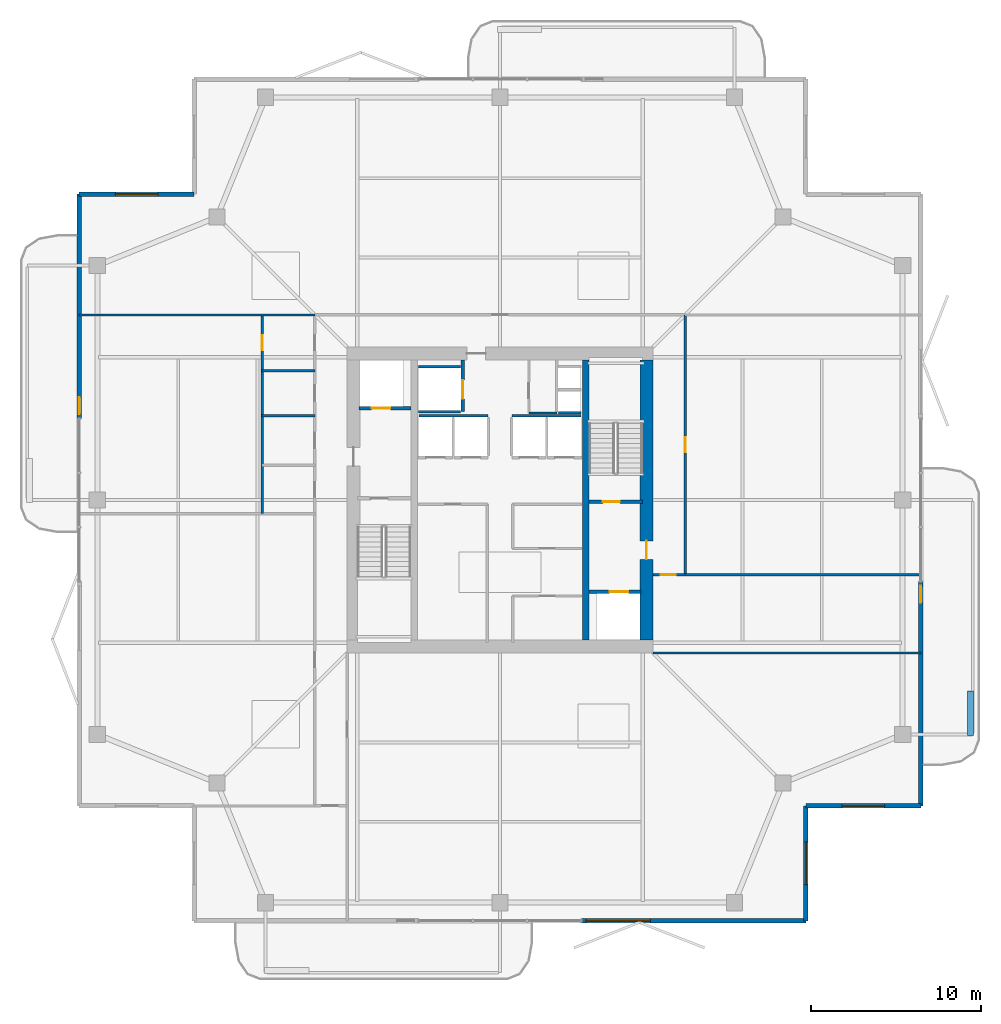
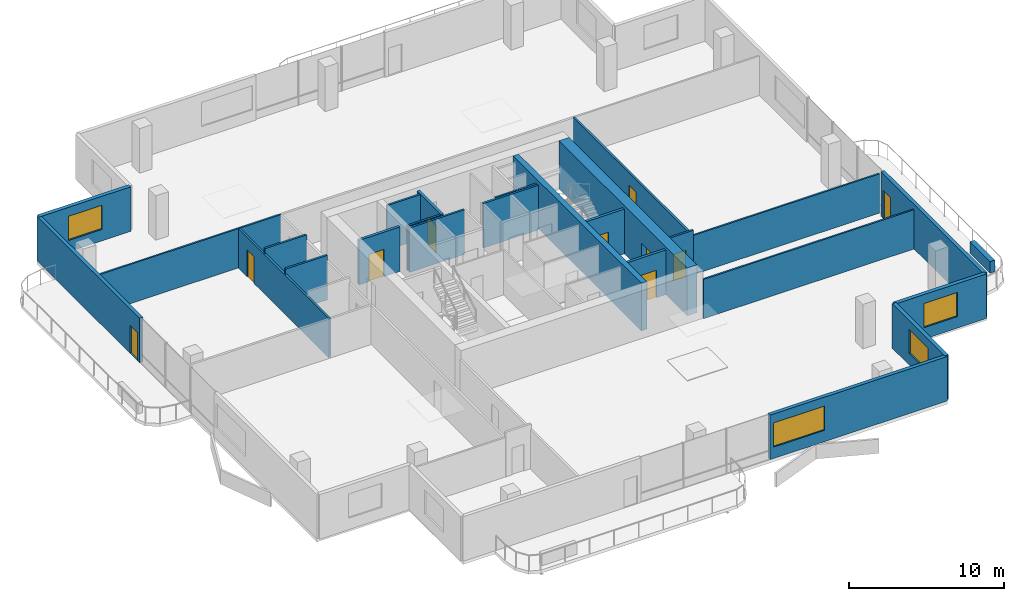
# One storey, part 19 of 23: 27 walls, 10 doors, 4 windows, 14 openings.
"""IFC4 building model written with IfcOpenShell, lengths in metres."""

from ifc_helpers import new_model, si_unit, direction, frame, frame_2d, origin, place, context, subcontext, project, spatial, rectangle, extrude, material, layer, layer_set, type_object, element, fill, save


model = new_model("IFC4")

# Units and contexts
model_context = context("Model", 3, precision=1e-05, world=origin(), true_north=direction((0.0, 1.0)))
body_context = subcontext(model_context, "Body", "Model", "MODEL_VIEW")
ifc_project = project(units=[si_unit("LENGTHUNIT", "METRE"), si_unit("AREAUNIT", "SQUARE_METRE"), si_unit("VOLUMEUNIT", "CUBIC_METRE"), si_unit("PLANEANGLEUNIT", "RADIAN"), si_unit("MASSUNIT", "GRAM", prefix="KILO")], contexts=[model_context])

# Site, building, storey
site_placement = place(None, origin())
site = spatial("IfcSite", under=ifc_project, at=site_placement, CompositionType="ELEMENT")
building_placement = place(site_placement, origin())
building = spatial("IfcBuilding", under=site, at=building_placement, Name="Belovzor Exchange Tower", CompositionType="ELEMENT")
storey_placement = place(building_placement, frame((0.0, 0.0, 276.60009765625)))
storey = spatial("IfcBuildingStorey", under=building, at=storey_placement, Name="L69", CompositionType="ELEMENT", Elevation=276.60009765625)

# Walls
ifc_material_1 = material(Name="Acoustic Plasterboard on Galvanised Studs", Category="gypsum")
ifc_layer_1 = layer(ifc_material_1, 0.1201171875)
ifc_layer_set_1 = layer_set([ifc_layer_1], Name="Acoustic Plasterboard on Galvanised Studs")
wall_type_1 = type_object("IfcWallType", Name="Acoustic Double-Stud Partition Wall 120", PredefinedType="PARTITIONING", material=ifc_layer_set_1)
wall_1_placement = place(storey_placement, frame((37.800048828125, 19.800048828125, 0.0), z_axis=(0.0, 0.0, 1.0), x_axis=(1.0, 0.0, 0.0)))
element("IfcWall", 1, at=wall_1_placement, inside=storey, type_object=wall_type_1, Name="W-P120 Partition Wall W-L69-ESS", PredefinedType="PARTITIONING", context=body_context, shape_type="SweptSolid", body=[
    extrude(rectangle(XDim=15.77001953125, YDim=0.1201171875, at=frame_2d((7.885009765625, 0.0))), origin(), (0.0, 0.0, 1.0), 3.0849609375),
])
wall_2_placement = place(storey_placement, frame((39.699951171875, 24.39990234375, 0.0), z_axis=(0.0, 0.0, 1.0), x_axis=(1.0, 0.0, 0.0)))
element("IfcWall", 2, at=wall_2_placement, inside=storey, type_object=wall_type_1, Name="W-P120 Partition Wall W-L69-ESN", PredefinedType="PARTITIONING", context=body_context, shape_type="SweptSolid", body=[
    extrude(rectangle(XDim=13.8701171875, YDim=0.1201171875, at=frame_2d((6.93505859375, 0.0))), origin(), (0.0, 0.0, 1.0), 3.0849609375),
])
wall_3_placement = place(storey_placement, frame((4.030029296875, 39.699951171875, 0.0), z_axis=(0.0, 0.0, 1.0), x_axis=(1.0, 0.0, 0.0)))
element("IfcWall", 3, at=wall_3_placement, inside=storey, type_object=wall_type_1, Name="W-P120 Partition Wall W-L69-END-NW", PredefinedType="PARTITIONING", context=body_context, shape_type="SweptSolid", body=[
    extrude(rectangle(XDim=13.869873046875, YDim=0.1201171875, at=frame_2d((6.93505859375, 0.0))), origin(), (0.0, 0.0, 1.0), 3.0849609375),
])
ifc_material_2 = material(Name="Fire-Rated Plasterboard on Galvanised Studs", Category="gypsum")
ifc_layer_2 = layer(ifc_material_2, 0.1201171875)
ifc_layer_set_2 = layer_set([ifc_layer_2], Name="Fire-Rated Plasterboard on Galvanised Studs")
wall_type_2 = type_object("IfcWallType", Name="Fire-Rated Double-Stud Partition Wall 120", PredefinedType="PARTITIONING", material=ifc_layer_set_2)
wall_4_placement = place(storey_placement, frame((30.5, 33.925048828125, 0.0), z_axis=(0.0, 0.0, 1.0), x_axis=(1.0, 0.0, 0.0)))
element("IfcWall", 4, at=wall_4_placement, inside=storey, type_object=wall_type_2, Name="W-P120F Partition Wall W-CRV-L69-S", PredefinedType="PARTITIONING", context=body_context, shape_type="SweptSolid", body=[
    extrude(rectangle(XDim=1.64990234375, YDim=0.1201171875, at=frame_2d((0.824951171875, 0.0))), origin(), (0.0, 0.0, 1.0), 3.5),
])

# Wall, opening, door
ifc_material_3 = material(Name="Fire-Rated Gypsum Block and Mineral Wool", Category="gypsum")
ifc_layer_3 = layer(ifc_material_3, 0.14990234375)
ifc_layer_set_3 = layer_set([ifc_layer_3], Name="Fire-Rated Gypsum Block and Mineral Wool")
wall_type_3 = type_object("IfcWallType", Name="Fire-Rated Gypsum Block Corridor Wall 150", PredefinedType="PARTITIONING", material=ifc_layer_set_3)
wall_5_placement = place(storey_placement, frame((14.800048828125, 28.0, 0.0), z_axis=(0.0, 0.0, 1.0), x_axis=(0.0, 1.0, 0.0)))
wall_5 = element("IfcWall", 5, at=wall_5_placement, inside=storey, type_object=wall_type_3, Name="W-P150 Partition Wall W-L69-WCW", PredefinedType="PARTITIONING", context=body_context, shape_type="SweptSolid", body=[
    extrude(rectangle(XDim=11.699951171875, YDim=0.14990234375, at=frame_2d((5.85009765625, 0.0))), origin(), (0.0, 0.0, 1.0), 3.0849609375),
])
opening_1_placement = place(wall_5_placement, frame((9.60009765625, 0.0, 0.0)))
opening_1 = element("IfcOpeningElement", 6, at=opening_1_placement, cuts=wall_5, Name="Opening D-INT-090", PredefinedType="OPENING", context=body_context, shape_type="SweptSolid", body=[
    extrude(rectangle(XDim=0.89990234375, YDim=2.10009765625, at=frame_2d((0.449951171875, 1.050048828125))), frame((0.0, 0.0849609375, 0.0), z_axis=(0.0, -1.0, 0.0), x_axis=(1.0, 0.0, 0.0)), (0.0, 0.0, 1.0), 0.169921875),
])
ifc_material_4 = material(Name="Veneered Hardwood Acoustic Leaf", Category="wood")
door_type_1 = type_object("IfcDoorType", Name="Trading Suite Acoustic Single Door 900x2100", OperationType="NOTDEFINED", PredefinedType="DOOR", material=ifc_material_4)
door_1_placement = place(opening_1_placement, origin())
door_1 = element("IfcDoor", 7, at=door_1_placement, inside=storey, type_object=door_type_1, Name="D-INT-090 Trading Suite Acoustic Single Door 900x2100", OperationType="SINGLE_SWING_LEFT", OverallHeight=2.10009765625, OverallWidth=0.89990234375, PredefinedType="DOOR", context=body_context, shape_type="SweptSolid", body=[
    extrude(rectangle(XDim=0.89990234375, YDim=2.10009765625, at=frame_2d((0.449951171875, 1.050048828125))), frame((0.0, 0.02490234375, 0.0), z_axis=(0.0, -1.0, 0.0), x_axis=(1.0, 0.0, 0.0)), (0.0, 0.0, 1.0), 0.050048828125),
])
fill(opening_1, door_1)

# Walls
for number, where, z_axis, x_axis, name in (
    (8, (14.800048828125, 36.39990234375, 0.0), (0.0, 0.0, 1.0), (1.0, 0.0, 0.0), "W-P150 Partition Wall W-L69-WCN"),
    (9, (14.800048828125, 33.75, 0.0), (0.0, 0.0, 1.0), (1.0, 0.0, 0.0), "W-P150 Partition Wall W-L69-WCD2"),
):
    element("IfcWall", number, at=place(storey_placement, frame(where, z_axis=z_axis, x_axis=x_axis)), inside=storey, type_object=wall_type_3, Name=name, PredefinedType="PARTITIONING", context=body_context, shape_type="SweptSolid", body=[
        extrude(rectangle(XDim=3.099853515625, YDim=0.14990234375, at=frame_2d((1.5498046875, 0.0))), origin(), (0.0, 0.0, 1.0), 3.5),
    ])

# Wall, opening, door
wall_6_placement = place(storey_placement, frame((37.800048828125, 24.39990234375, 0.0), z_axis=(0.0, 0.0, 1.0), x_axis=(1.0, 0.0, 0.0)))
wall_6 = element("IfcWall", 10, at=wall_6_placement, inside=storey, type_object=wall_type_3, Name="W-P150 Partition Wall W-L69-CE-END", PredefinedType="PARTITIONING", context=body_context, shape_type="SweptSolid", body=[
    extrude(rectangle(XDim=1.89990234375, YDim=0.14990234375, at=frame_2d((0.949951171875, 0.0))), origin(), (0.0, 0.0, 1.0), 3.5),
])
opening_2_placement = place(wall_6_placement, frame((0.449951171875, 0.0, 0.0)))
opening_2 = element("IfcOpeningElement", 11, at=opening_2_placement, cuts=wall_6, Name="Opening D-FD60-090", PredefinedType="OPENING", context=body_context, shape_type="SweptSolid", body=[
    extrude(rectangle(XDim=0.89990234375, YDim=2.10009765625, at=frame_2d((0.449951171875, 1.050048828125))), frame((0.0, 0.0849609375, 0.0), z_axis=(0.0, -1.0, 0.0), x_axis=(1.0, 0.0, 0.0)), (0.0, 0.0, 1.0), 0.169921875),
])
ifc_material_5 = material(Name="Acoustic Timber Fire Leaf", Category="wood")
door_type_2 = type_object("IfcDoorType", Name="Core Service & Restroom Fire Door 900x2100", OperationType="NOTDEFINED", PredefinedType="DOOR", material=ifc_material_5)
door_2_placement = place(opening_2_placement, origin())
door_2 = element("IfcDoor", 12, at=door_2_placement, inside=storey, type_object=door_type_2, Name="D-FD60-090 Core Service & Restroom Fire Door 900x2100", OperationType="SINGLE_SWING_LEFT", OverallHeight=2.10009765625, OverallWidth=0.89990234375, PredefinedType="DOOR", context=body_context, shape_type="SweptSolid", body=[
    extrude(rectangle(XDim=0.89990234375, YDim=2.10009765625, at=frame_2d((0.449951171875, 1.050048828125))), frame((0.0, 0.02490234375, 0.0), z_axis=(0.0, -1.0, 0.0), x_axis=(1.0, 0.0, 0.0)), (0.0, 0.0, 1.0), 0.050048828125),
])
fill(opening_2, door_2)

wall_7_placement = place(storey_placement, frame((39.699951171875, 24.39990234375, 0.0), z_axis=(0.0, 0.0, 1.0), x_axis=(0.0, 1.0, 0.0)))
wall_7 = element("IfcWall", 13, at=wall_7_placement, inside=storey, type_object=wall_type_3, Name="W-P150 Partition Wall W-L69-CE", PredefinedType="PARTITIONING", context=body_context, shape_type="SweptSolid", body=[
    extrude(rectangle(XDim=15.300048828125, YDim=0.14990234375, at=frame_2d((7.64990234375, 0.0))), origin(), (0.0, 0.0, 1.0), 3.0849609375),
])
opening_3_placement = place(wall_7_placement, frame((7.199951171875, 0.0, 0.0)))
opening_3 = element("IfcOpeningElement", 14, at=opening_3_placement, cuts=wall_7, Name="Opening D-INT-090", PredefinedType="OPENING", context=body_context, shape_type="SweptSolid", body=[
    extrude(rectangle(XDim=0.89990234375, YDim=2.10009765625, at=frame_2d((0.449951171875, 1.050048828125))), frame((0.0, 0.0849609375, 0.0), z_axis=(0.0, -1.0, 0.0), x_axis=(1.0, 0.0, 0.0)), (0.0, 0.0, 1.0), 0.169921875),
])
door_3_placement = place(opening_3_placement, origin())
door_3 = element("IfcDoor", 15, at=door_3_placement, inside=storey, type_object=door_type_1, Name="D-INT-090 Trading Suite Acoustic Single Door 900x2100", OperationType="SINGLE_SWING_LEFT", OverallHeight=2.10009765625, OverallWidth=0.89990234375, PredefinedType="DOOR", context=body_context, shape_type="SweptSolid", body=[
    extrude(rectangle(XDim=0.89990234375, YDim=2.10009765625, at=frame_2d((0.449951171875, 1.050048828125))), frame((0.0, 0.02490234375, 0.0), z_axis=(0.0, -1.0, 0.0), x_axis=(1.0, 0.0, 0.0)), (0.0, 0.0, 1.0), 0.050048828125),
])
fill(opening_3, door_3)

# Wall, opening, window
ifc_material_6 = material(Name="Precast concrete C40/50", Category="concrete")
ifc_layer_4 = layer(ifc_material_6, 0.280029296875)
ifc_layer_set_4 = layer_set([ifc_layer_4], Name="Precast concrete C40/50")
wall_type_4 = type_object("IfcWallType", Name="Precast Concrete Notched Corner Frame Wall 280", PredefinedType="SOLIDWALL", material=ifc_layer_set_4)
wall_8_placement = place(storey_placement, frame((4.030029296875, 46.800048828125, 0.0), z_axis=(0.0, 0.0, 1.0), x_axis=(1.0, 0.0, 0.0)))
wall_8 = element("IfcWall", 16, at=wall_8_placement, inside=storey, type_object=wall_type_4, Name="W-CRN280 Precast Concrete Notched Corner Frame Wall 280 L69", PredefinedType="SOLIDWALL", context=body_context, shape_type="SweptSolid", body=[
    extrude(rectangle(XDim=6.77001953125, YDim=0.280029296875, at=frame_2d((3.385009765625, 0.0))), origin(), (0.0, 0.0, 1.0), 3.5),
])
opening_4_placement = place(wall_8_placement, frame((2.135009765625, 0.0, 0.89990234375)))
opening_4 = element("IfcOpeningElement", 17, at=opening_4_placement, cuts=wall_8, Name="Opening WN-CRN250", PredefinedType="OPENING", context=body_context, shape_type="SweptSolid", body=[
    extrude(rectangle(XDim=2.5, YDim=1.89990234375, at=frame_2d((1.25, 0.949951171875))), frame((0.0, 0.14990234375, 0.0), z_axis=(0.0, -1.0, 0.0), x_axis=(1.0, 0.0, 0.0)), (0.0, 0.0, 1.0), 0.300048828125),
])
ifc_material_7 = material(Name="Thermally Broken Aluminium and Triple Glazing", Category="aluminium")
window_type_1 = type_object("IfcWindowType", Name="Streamline Moderne Corner Wrap Ribbon Window 2500x1900", PartitioningType="SINGLE_PANEL", PredefinedType="WINDOW", material=ifc_material_7)
window_1_placement = place(opening_4_placement, origin())
window_1 = element("IfcWindow", 18, at=window_1_placement, inside=storey, type_object=window_type_1, Name="WN-CRN250 Streamline Moderne Corner Wrap Ribbon Window 2500x1900", OverallHeight=1.89990234375, OverallWidth=2.5, PartitioningType="SINGLE_PANEL", PredefinedType="WINDOW", context=body_context, shape_type="SweptSolid", body=[
    extrude(rectangle(XDim=2.5, YDim=1.89990234375, at=frame_2d((1.25, 0.949951171875))), frame((0.0, 0.030029296875, 0.0), z_axis=(0.0, -1.0, 0.0), x_axis=(1.0, 0.0, 0.0)), (0.0, 0.0, 1.0), 0.06005859375),
])
fill(opening_4, window_1)

wall_9_placement = place(storey_placement, frame((53.570068359375, 10.800048828125, 0.0), z_axis=(0.0, 0.0, 1.0), x_axis=(-1.0, 0.0, 0.0)))
wall_9 = element("IfcWall", 19, at=wall_9_placement, inside=storey, type_object=wall_type_4, Name="W-CRN280 Precast Concrete Notched Corner Frame Wall 280 L69", PredefinedType="SOLIDWALL", context=body_context, shape_type="SweptSolid", body=[
    extrude(rectangle(XDim=6.77001953125, YDim=0.280029296875, at=frame_2d((3.385009765625, 0.0))), origin(), (0.0, 0.0, 1.0), 3.5),
])
opening_5_placement = place(wall_9_placement, frame((2.135009765625, 0.0, 0.89990234375)))
opening_5 = element("IfcOpeningElement", 20, at=opening_5_placement, cuts=wall_9, Name="Opening WN-CRN250", PredefinedType="OPENING", context=body_context, shape_type="SweptSolid", body=[
    extrude(rectangle(XDim=2.5, YDim=1.89990234375, at=frame_2d((1.25, 0.949951171875))), frame((0.0, 0.14990234375, 0.0), z_axis=(0.0, -1.0, 0.0), x_axis=(1.0, 0.0, 0.0)), (0.0, 0.0, 1.0), 0.300048828125),
])
window_2_placement = place(opening_5_placement, origin())
window_2 = element("IfcWindow", 21, at=window_2_placement, inside=storey, type_object=window_type_1, Name="WN-CRN250 Streamline Moderne Corner Wrap Ribbon Window 2500x1900", OverallHeight=1.89990234375, OverallWidth=2.5, PartitioningType="SINGLE_PANEL", PredefinedType="WINDOW", context=body_context, shape_type="SweptSolid", body=[
    extrude(rectangle(XDim=2.5, YDim=1.89990234375, at=frame_2d((1.25, 0.949951171875))), frame((0.0, 0.030029296875, 0.0), z_axis=(0.0, -1.0, 0.0), x_axis=(1.0, 0.0, 0.0)), (0.0, 0.0, 1.0), 0.06005859375),
])
fill(opening_5, window_2)

wall_10_placement = place(storey_placement, frame((46.800048828125, 10.800048828125, 0.0), z_axis=(0.0, 0.0, 1.0), x_axis=(0.0, -1.0, 0.0)))
wall_10 = element("IfcWall", 22, at=wall_10_placement, inside=storey, type_object=wall_type_4, Name="W-CRN280 Precast Concrete Notched Corner Frame Wall 280 L69", PredefinedType="SOLIDWALL", context=body_context, shape_type="SweptSolid", body=[
    extrude(rectangle(XDim=6.77001953125, YDim=0.280029296875, at=frame_2d((3.385009765625, 0.0))), origin(), (0.0, 0.0, 1.0), 3.5),
])
opening_6_placement = place(wall_10_placement, frame((2.135009765625, 0.0, 0.89990234375)))
opening_6 = element("IfcOpeningElement", 23, at=opening_6_placement, cuts=wall_10, Name="Opening WN-CRN250", PredefinedType="OPENING", context=body_context, shape_type="SweptSolid", body=[
    extrude(rectangle(XDim=2.5, YDim=1.89990234375, at=frame_2d((1.25, 0.949951171875))), frame((0.0, 0.14990234375, 0.0), z_axis=(0.0, -1.0, 0.0), x_axis=(1.0, 0.0, 0.0)), (0.0, 0.0, 1.0), 0.300048828125),
])
window_3_placement = place(opening_6_placement, origin())
window_3 = element("IfcWindow", 24, at=window_3_placement, inside=storey, type_object=window_type_1, Name="WN-CRN250 Streamline Moderne Corner Wrap Ribbon Window 2500x1900", OverallHeight=1.89990234375, OverallWidth=2.5, PartitioningType="SINGLE_PANEL", PredefinedType="WINDOW", context=body_context, shape_type="SweptSolid", body=[
    extrude(rectangle(XDim=2.5, YDim=1.89990234375, at=frame_2d((1.25, 0.949951171875))), frame((0.0, 0.030029296875, 0.0), z_axis=(0.0, -1.0, 0.0), x_axis=(1.0, 0.0, 0.0)), (0.0, 0.0, 1.0), 0.06005859375),
])
fill(opening_6, window_3)

ifc_material_8 = material(Name="Precast concrete C40/50", Category="concrete")
ifc_layer_5 = layer(ifc_material_8, 0.260009765625)
ifc_layer_set_5 = layer_set([ifc_layer_5], Name="Precast concrete C40/50")
wall_type_5 = type_object("IfcWallType", Name="Precast Concrete Perimeter Loggia Frame Wall 260", PredefinedType="SOLIDWALL", material=ifc_layer_set_5)
wall_11_placement = place(storey_placement, frame((46.800048828125, 4.030029296875, 0.0), z_axis=(0.0, 0.0, 1.0), x_axis=(-1.0, 0.0, 0.0)))
wall_11 = element("IfcWall", 25, at=wall_11_placement, inside=storey, type_object=wall_type_5, Name="W-EXT260 Precast Concrete Perimeter Loggia Frame Wall 260 L69", PredefinedType="SOLIDWALL", context=body_context, shape_type="SweptSolid", body=[
    extrude(rectangle(XDim=13.199951171875, YDim=0.260009765625, at=frame_2d((6.60009765625, 0.0))), origin(), (0.0, 0.0, 1.0), 3.5),
])
opening_7_placement = place(wall_11_placement, frame((9.14990234375, 0.0, 0.89990234375)))
opening_7 = element("IfcOpeningElement", 26, at=opening_7_placement, cuts=wall_11, Name="Opening WN-RIB380", PredefinedType="OPENING", context=body_context, shape_type="SweptSolid", body=[
    extrude(rectangle(XDim=3.800048828125, YDim=1.89990234375, at=frame_2d((1.89990234375, 0.949951171875))), frame((0.0, 0.139892578125, 0.0), z_axis=(0.0, -1.0, 0.0), x_axis=(1.0, 0.0, 0.0)), (0.0, 0.0, 1.0), 0.280029296875),
])
ifc_material_9 = material(Name="Thermally Broken Aluminium and Triple Glazing", Category="aluminium")
window_type_2 = type_object("IfcWindowType", Name="Streamline Moderne Horizontal Ribbon Window 3800x1900", PartitioningType="SINGLE_PANEL", PredefinedType="WINDOW", material=ifc_material_9)
window_4_placement = place(opening_7_placement, origin())
window_4 = element("IfcWindow", 27, at=window_4_placement, inside=storey, type_object=window_type_2, Name="WN-RIB380 Streamline Moderne Horizontal Ribbon Window 3800x1900", OverallHeight=1.89990234375, OverallWidth=3.800048828125, PartitioningType="SINGLE_PANEL", PredefinedType="WINDOW", context=body_context, shape_type="SweptSolid", body=[
    extrude(rectangle(XDim=3.800048828125, YDim=1.89990234375, at=frame_2d((1.89990234375, 0.949951171875))), frame((0.0, 0.030029296875, 0.0), z_axis=(0.0, -1.0, 0.0), x_axis=(1.0, 0.0, 0.0)), (0.0, 0.0, 1.0), 0.06005859375),
])
fill(opening_7, window_4)

# Wall, opening, door
wall_12_placement = place(storey_placement, frame((4.030029296875, 33.60009765625, 0.0), z_axis=(0.0, 0.0, 1.0), x_axis=(0.0, 1.0, 0.0)))
wall_12 = element("IfcWall", 28, at=wall_12_placement, inside=storey, type_object=wall_type_5, Name="W-EXT260 Precast Concrete Perimeter Loggia Frame Wall 260 L69", PredefinedType="SOLIDWALL", context=body_context, shape_type="SweptSolid", body=[
    extrude(rectangle(XDim=13.199951171875, YDim=0.260009765625, at=frame_2d((6.60009765625, 0.0))), origin(), (0.0, 0.0, 1.0), 3.5),
])
opening_8_placement = place(wall_12_placement, frame((0.25, 0.0, 0.0)))
opening_8 = element("IfcOpeningElement", 29, at=opening_8_placement, cuts=wall_12, Name="Opening D-BAL100", PredefinedType="OPENING", context=body_context, shape_type="SweptSolid", body=[
    extrude(rectangle(XDim=1.0, YDim=2.199951171875, at=frame_2d((0.5, 1.10009765625))), frame((0.0, 0.139892578125, 0.0), z_axis=(0.0, -1.0, 0.0), x_axis=(1.0, 0.0, 0.0)), (0.0, 0.0, 1.0), 0.280029296875),
])
ifc_material_10 = material(Name="Thermally Broken Anodised Aluminium and Laminated Glass", Category="aluminium")
door_type_3 = type_object("IfcDoorType", Name="Planted Loggia Terrace Glazed Door 1000x2200", OperationType="SINGLE_SWING_LEFT", PredefinedType="DOOR", material=ifc_material_10)
door_4_placement = place(opening_8_placement, origin())
door_4 = element("IfcDoor", 30, at=door_4_placement, inside=storey, type_object=door_type_3, Name="D-BAL100 Balcony Terrace Door L69 W", OperationType="SINGLE_SWING_RIGHT", OverallHeight=2.199951171875, OverallWidth=1.0, PredefinedType="DOOR", context=body_context, shape_type="SweptSolid", body=[
    extrude(rectangle(XDim=1.0, YDim=2.199951171875, at=frame_2d((0.5, 1.10009765625))), frame((0.0, 0.02490234375, 0.0), z_axis=(0.0, -1.0, 0.0), x_axis=(1.0, 0.0, 0.0)), (0.0, 0.0, 1.0), 0.050048828125),
])
fill(opening_8, door_4)

wall_13_placement = place(storey_placement, frame((53.570068359375, 24.0, 0.0), z_axis=(0.0, 0.0, 1.0), x_axis=(0.0, -1.0, 0.0)))
wall_13 = element("IfcWall", 31, at=wall_13_placement, inside=storey, type_object=wall_type_5, Name="W-EXT260 Precast Concrete Perimeter Loggia Frame Wall 260 L69", PredefinedType="SOLIDWALL", context=body_context, shape_type="SweptSolid", body=[
    extrude(rectangle(XDim=13.199951171875, YDim=0.260009765625, at=frame_2d((6.60009765625, 0.0))), origin(), (0.0, 0.0, 1.0), 3.5),
])
opening_9_placement = place(wall_13_placement, frame((0.25, 0.0, 0.0)))
opening_9 = element("IfcOpeningElement", 32, at=opening_9_placement, cuts=wall_13, Name="Opening D-BAL100", PredefinedType="OPENING", context=body_context, shape_type="SweptSolid", body=[
    extrude(rectangle(XDim=1.0, YDim=2.199951171875, at=frame_2d((0.5, 1.10009765625))), frame((0.0, 0.139892578125, 0.0), z_axis=(0.0, -1.0, 0.0), x_axis=(1.0, 0.0, 0.0)), (0.0, 0.0, 1.0), 0.280029296875),
])
door_5_placement = place(opening_9_placement, origin())
door_5 = element("IfcDoor", 33, at=door_5_placement, inside=storey, type_object=door_type_3, Name="D-BAL100 Balcony Terrace Door L69 E", OperationType="SINGLE_SWING_LEFT", OverallHeight=2.199951171875, OverallWidth=1.0, PredefinedType="DOOR", context=body_context, shape_type="SweptSolid", body=[
    extrude(rectangle(XDim=1.0, YDim=2.199951171875, at=frame_2d((0.5, 1.10009765625))), frame((0.0, 0.02490234375, 0.0), z_axis=(0.0, -1.0, 0.0), x_axis=(1.0, 0.0, 0.0)), (0.0, 0.0, 1.0), 0.050048828125),
])
fill(opening_9, door_5)

# Walls
ifc_material_11 = material(Name="Precast concrete C40/50", Category="concrete")
ifc_layer_6 = layer(ifc_material_11, 0.35009765625)
ifc_layer_set_6 = layer_set([ifc_layer_6], Name="Precast concrete C40/50")
wall_type_6 = type_object("IfcWallType", Name="Precast Concrete Structural Tree Planter Trough 350", PredefinedType="PARAPET", material=ifc_layer_set_6)
wall_14_placement = place(storey_placement, frame((56.5, 14.949951171875, 0.0), z_axis=(0.0, 0.0, 1.0), x_axis=(0.0, 1.0, 0.0)))
element("IfcWall", 34, at=wall_14_placement, inside=storey, type_object=wall_type_6, Name="PT-350 Precast Concrete Structural Tree Planter Trough 350 L69", PredefinedType="PARAPET", context=body_context, shape_type="SweptSolid", body=[
    extrude(rectangle(XDim=2.60009765625, YDim=0.35009765625, at=frame_2d((1.300048828125, 0.0))), origin(), (0.0, 0.0, 1.0), 0.89990234375),
])
ifc_material_12 = material(Name="Concrete C50/60", Category="concrete")
ifc_layer_7 = layer(ifc_material_12, 0.39990234375)
ifc_layer_set_7 = layer_set([ifc_layer_7], Name="Concrete C50/60")
wall_type_7 = type_object("IfcWallType", Name="Reinforced Concrete Core Internal Web Wall 400", PredefinedType="SHEAR", material=ifc_layer_set_7)
wall_15_placement = place(storey_placement, frame((33.85009765625, 20.550048828125, 0.0), z_axis=(0.0, 0.0, 1.0), x_axis=(0.0, 1.0, 0.0)))
element("IfcWall", 35, at=wall_15_placement, inside=storey, type_object=wall_type_7, Name="CW-W040 Core Internal Web Wall L69 ER", PredefinedType="SHEAR", context=body_context, shape_type="SweptSolid", body=[
    extrude(rectangle(XDim=16.5, YDim=0.39990234375, at=frame_2d((8.25, 0.0))), origin(), (0.0, 0.0, 1.0), 3.75),
])
ifc_material_13 = material(Name="Concrete C50/60", Category="concrete")
ifc_layer_8 = layer(ifc_material_13, 0.14990234375)
ifc_layer_set_8 = layer_set([ifc_layer_8], Name="Concrete C50/60")
wall_type_8 = type_object("IfcWallType", Name="Reinforced Concrete Core Riser Shear Wall 150", PredefinedType="SHEAR", material=ifc_layer_set_8)
wall_16_placement = place(storey_placement, frame((32.25, 33.925048828125, 0.0), z_axis=(0.0, 0.0, 1.0), x_axis=(1.0, 0.0, 0.0)))
element("IfcWall", 36, at=wall_16_placement, inside=storey, type_object=wall_type_8, Name="W-C150S Core Shaft Wall W-RSR-L69-S", PredefinedType="SHEAR", context=body_context, shape_type="SweptSolid", body=[
    extrude(rectangle(XDim=1.330078125, YDim=0.14990234375, at=frame_2d((0.6650390625, 0.0))), origin(), (0.0, 0.0, 1.0), 3.5),
])
for number, where, z_axis, x_axis, name in (
    (37, (24.0, 34.0, 0.0), (0.0, 0.0, 1.0), (1.0, 0.0, 0.0), "W-C150S Core Shaft Wall W-SH-L69-SL-01S"),
    (38, (24.0, 36.64990234375, 0.0), (0.0, 0.0, 1.0), (1.0, 0.0, 0.0), "W-C150S Core Shaft Wall W-SH-L69-SL-01N"),
):
    element("IfcWall", number, at=place(storey_placement, frame(where, z_axis=z_axis, x_axis=x_axis)), inside=storey, type_object=wall_type_8, Name=name, PredefinedType="SHEAR", context=body_context, shape_type="SweptSolid", body=[
        extrude(rectangle(XDim=2.47998046875, YDim=0.14990234375, at=frame_2d((1.239990234375, 0.0))), origin(), (0.0, 0.0, 1.0), 3.5),
    ])
for number, where, z_axis, x_axis, name in (
    (39, (24.02001953125, 33.760009765625, 0.0), (0.0, 0.0, 1.0), (1.0, 0.0, 0.0), "W-C150S Core Shaft Wall W-SHB-L69-PLH-NW"),
    (40, (29.5, 33.760009765625, 0.0), (0.0, 0.0, 1.0), (1.0, 0.0, 0.0), "W-C150S Core Shaft Wall W-SHB-L69-PLH-NE"),
):
    element("IfcWall", number, at=place(storey_placement, frame(where, z_axis=z_axis, x_axis=x_axis)), inside=storey, type_object=wall_type_8, Name=name, PredefinedType="SHEAR", context=body_context, shape_type="SweptSolid", body=[
        extrude(rectangle(XDim=4.080078125, YDim=0.14990234375, at=frame_2d((2.0400390625, 0.0))), origin(), (0.0, 0.0, 1.0), 3.5),
    ])

# Wall, opening, door
ifc_material_14 = material(Name="Concrete C50/60", Category="concrete")
ifc_layer_9 = layer(ifc_material_14, 0.199951171875)
ifc_layer_set_9 = layer_set([ifc_layer_9], Name="Concrete C50/60")
wall_type_9 = type_object("IfcWallType", Name="Reinforced Concrete Core Shaft Shear Wall 200", PredefinedType="SHEAR", material=ifc_layer_set_9)
wall_17_placement = place(storey_placement, frame((34.050048828125, 28.699951171875, 0.0), z_axis=(0.0, 0.0, 1.0), x_axis=(1.0, 0.0, 0.0)))
wall_17 = element("IfcWall", 41, at=wall_17_placement, inside=storey, type_object=wall_type_9, Name="W-C200S Core Shaft Wall W-CORE-L69-FFLE2", PredefinedType="SHEAR", context=body_context, shape_type="SweptSolid", body=[
    extrude(rectangle(XDim=3.14990234375, YDim=0.199951171875, at=frame_2d((1.574951171875, 0.0))), origin(), (0.0, 0.0, 1.0), 3.5),
])
opening_10_placement = place(wall_17_placement, frame((0.800048828125, 0.0, 0.0)))
opening_10 = element("IfcOpeningElement", 42, at=opening_10_placement, cuts=wall_17, Name="Opening D-FD90-100", PredefinedType="OPENING", context=body_context, shape_type="SweptSolid", body=[
    extrude(rectangle(XDim=1.0, YDim=2.10009765625, at=frame_2d((0.5, 1.050048828125))), frame((0.0, 0.10986328125, 0.0), z_axis=(0.0, -1.0, 0.0), x_axis=(1.0, 0.0, 0.0)), (0.0, 0.0, 1.0), 0.219970703125),
])
ifc_material_15 = material(Name="Fire-Rated Galvanised Steel Leaf", Category="steel")
door_type_4 = type_object("IfcDoorType", Name="Protected Stairwell Single Fire Door 1000x2100", OperationType="NOTDEFINED", PredefinedType="DOOR", material=ifc_material_15)
door_6_placement = place(opening_10_placement, origin())
door_6 = element("IfcDoor", 43, at=door_6_placement, inside=storey, type_object=door_type_4, Name="D-FD90-100 Protected Stairwell Single Fire Door 1000x2100", OperationType="SINGLE_SWING_LEFT", OverallHeight=2.10009765625, OverallWidth=1.0, PredefinedType="DOOR", context=body_context, shape_type="SweptSolid", body=[
    extrude(rectangle(XDim=1.0, YDim=2.10009765625, at=frame_2d((0.5, 1.050048828125))), frame((0.0, 0.02490234375, 0.0), z_axis=(0.0, -1.0, 0.0), x_axis=(1.0, 0.0, 0.0)), (0.0, 0.0, 1.0), 0.050048828125),
])
fill(opening_10, door_6)

wall_18_placement = place(storey_placement, frame((20.5, 34.199951171875, 0.0), z_axis=(0.0, 0.0, 1.0), x_axis=(1.0, 0.0, 0.0)))
wall_18 = element("IfcWall", 44, at=wall_18_placement, inside=storey, type_object=wall_type_9, Name="W-C200S Core Shaft Wall W-SH-L69-FFL-01", PredefinedType="SHEAR", context=body_context, shape_type="SweptSolid", body=[
    extrude(rectangle(XDim=3.050048828125, YDim=0.199951171875, at=frame_2d((1.52490234375, 0.0))), origin(), (0.0, 0.0, 1.0), 3.5),
])
opening_11_placement = place(wall_18_placement, frame((0.75, 0.0, 0.0)))
opening_11 = element("IfcOpeningElement", 45, at=opening_11_placement, cuts=wall_18, Name="Opening LD-110", PredefinedType="OPENING", context=body_context, shape_type="SweptSolid", body=[
    extrude(rectangle(XDim=1.10009765625, YDim=2.14990234375, at=frame_2d((0.550048828125, 1.074951171875))), frame((0.0, 0.10986328125, 0.0), z_axis=(0.0, -1.0, 0.0), x_axis=(1.0, 0.0, 0.0)), (0.0, 0.0, 1.0), 0.219970703125),
])
ifc_material_16 = material(Name="Stainless Steel Grade 304", Category="steel")
door_type_5 = type_object("IfcDoorType", Name="Automated Stainless Steel Lift Landing Door 1100x2150", OperationType="SLIDING_TO_RIGHT", PredefinedType="DOOR", material=ifc_material_16)
door_7_placement = place(opening_11_placement, origin())
door_7 = element("IfcDoor", 46, at=door_7_placement, inside=storey, type_object=door_type_5, Name="LD-110 Automated Stainless Steel Lift Landing Door 1100x2150", OperationType="SLIDING_TO_RIGHT", OverallHeight=2.14990234375, OverallWidth=1.10009765625, PredefinedType="DOOR", context=body_context, shape_type="SweptSolid", body=[
    extrude(rectangle(XDim=1.10009765625, YDim=2.14990234375, at=frame_2d((0.550048828125, 1.074951171875))), frame((0.0, 0.02490234375, 0.0), z_axis=(0.0, -1.0, 0.0), x_axis=(1.0, 0.0, 0.0)), (0.0, 0.0, 1.0), 0.050048828125),
])
fill(opening_11, door_7)

wall_19_placement = place(storey_placement, frame((34.050048828125, 23.39990234375, 0.0), z_axis=(0.0, 0.0, 1.0), x_axis=(1.0, 0.0, 0.0)))
wall_19 = element("IfcWall", 47, at=wall_19_placement, inside=storey, type_object=wall_type_9, Name="W-C200S Core Shaft Wall W-SH-L69-FFL-02", PredefinedType="SHEAR", context=body_context, shape_type="SweptSolid", body=[
    extrude(rectangle(XDim=3.050048828125, YDim=0.199951171875, at=frame_2d((1.52490234375, 0.0))), origin(), (0.0, 0.0, 1.0), 3.5),
])
opening_12_placement = place(wall_19_placement, frame((1.199951171875, 0.0, 0.0)))
opening_12 = element("IfcOpeningElement", 48, at=opening_12_placement, cuts=wall_19, Name="Opening LD-110", PredefinedType="OPENING", context=body_context, shape_type="SweptSolid", body=[
    extrude(rectangle(XDim=1.10009765625, YDim=2.14990234375, at=frame_2d((0.550048828125, 1.074951171875))), frame((0.0, 0.10986328125, 0.0), z_axis=(0.0, -1.0, 0.0), x_axis=(1.0, 0.0, 0.0)), (0.0, 0.0, 1.0), 0.219970703125),
])
door_8_placement = place(opening_12_placement, origin())
door_8 = element("IfcDoor", 49, at=door_8_placement, inside=storey, type_object=door_type_5, Name="LD-110 Automated Stainless Steel Lift Landing Door 1100x2150", OperationType="SLIDING_TO_RIGHT", OverallHeight=2.14990234375, OverallWidth=1.10009765625, PredefinedType="DOOR", context=body_context, shape_type="SweptSolid", body=[
    extrude(rectangle(XDim=1.10009765625, YDim=2.14990234375, at=frame_2d((0.550048828125, 1.074951171875))), frame((0.0, 0.02490234375, 0.0), z_axis=(0.0, -1.0, 0.0), x_axis=(1.0, 0.0, 0.0)), (0.0, 0.0, 1.0), 0.050048828125),
])
fill(opening_12, door_8)

wall_20_placement = place(storey_placement, frame((26.60009765625, 34.0, 0.0), z_axis=(0.0, 0.0, 1.0), x_axis=(0.0, 1.0, 0.0)))
wall_20 = element("IfcWall", 50, at=wall_20_placement, inside=storey, type_object=wall_type_9, Name="W-C200S Core Shaft Wall W-SH-L69-SL-01", PredefinedType="SHEAR", context=body_context, shape_type="SweptSolid", body=[
    extrude(rectangle(XDim=3.050048828125, YDim=0.199951171875, at=frame_2d((1.52490234375, 0.0))), origin(), (0.0, 0.0, 1.0), 3.5),
])
opening_13_placement = place(wall_20_placement, frame((0.75, 0.0, 0.0)))
opening_13 = element("IfcOpeningElement", 51, at=opening_13_placement, cuts=wall_20, Name="Opening LD-110", PredefinedType="OPENING", context=body_context, shape_type="SweptSolid", body=[
    extrude(rectangle(XDim=1.10009765625, YDim=2.14990234375, at=frame_2d((0.550048828125, 1.074951171875))), frame((0.0, 0.10986328125, 0.0), z_axis=(0.0, -1.0, 0.0), x_axis=(1.0, 0.0, 0.0)), (0.0, 0.0, 1.0), 0.219970703125),
])
door_9_placement = place(opening_13_placement, origin())
door_9 = element("IfcDoor", 52, at=door_9_placement, inside=storey, type_object=door_type_5, Name="LD-110 Automated Stainless Steel Lift Landing Door 1100x2150", OperationType="SLIDING_TO_RIGHT", OverallHeight=2.14990234375, OverallWidth=1.10009765625, PredefinedType="DOOR", context=body_context, shape_type="SweptSolid", body=[
    extrude(rectangle(XDim=1.10009765625, YDim=2.14990234375, at=frame_2d((0.550048828125, 1.074951171875))), frame((0.0, 0.02490234375, 0.0), z_axis=(0.0, -1.0, 0.0), x_axis=(1.0, 0.0, 0.0)), (0.0, 0.0, 1.0), 0.050048828125),
])
fill(opening_13, door_9)

ifc_material_17 = material(Name="Concrete C50/60", Category="concrete")
ifc_layer_10 = layer(ifc_material_17, 0.75)
ifc_layer_set_10 = layer_set([ifc_layer_10], Name="Concrete C50/60")
wall_type_10 = type_object("IfcWallType", Name="Reinforced Concrete Core Shear Wall 750", PredefinedType="SHEAR", material=ifc_layer_set_10)
wall_21_placement = place(storey_placement, frame((37.425048828125, 20.550048828125, 0.0), z_axis=(0.0, 0.0, 1.0), x_axis=(0.0, 1.0, 0.0)))
wall_21 = element("IfcWall", 53, at=wall_21_placement, inside=storey, type_object=wall_type_10, Name="CW-S075 Core Shear Wall L69 E", PredefinedType="SHEAR", context=body_context, shape_type="SweptSolid", body=[
    extrude(rectangle(XDim=16.5, YDim=0.75, at=frame_2d((8.25, 0.0))), origin(), (0.0, 0.0, 1.0), 3.75),
])
opening_14_placement = place(wall_21_placement, frame((4.75, 0.0, 0.0)))
opening_14 = element("IfcOpeningElement", 54, at=opening_14_placement, cuts=wall_21, Name="Opening D-FD90-110", PredefinedType="OPENING", context=body_context, shape_type="SweptSolid", body=[
    extrude(rectangle(XDim=1.10009765625, YDim=2.14990234375, at=frame_2d((0.550048828125, 1.074951171875))), frame((0.0, 0.385009765625, 0.0), z_axis=(0.0, -1.0, 0.0), x_axis=(1.0, 0.0, 0.0)), (0.0, 0.0, 1.0), 0.77001953125),
])
ifc_material_18 = material(Name="Fire-Rated Galvanised Steel Leaf", Category="steel")
door_type_6 = type_object("IfcDoorType", Name="Protected Escape Vestibule Fire Door 1100x2150", OperationType="NOTDEFINED", PredefinedType="DOOR", material=ifc_material_18)
door_10_placement = place(opening_14_placement, origin())
door_10 = element("IfcDoor", 55, at=door_10_placement, inside=storey, type_object=door_type_6, Name="D-FD90-110 Protected Escape Vestibule Fire Door 1100x2150", OperationType="SINGLE_SWING_RIGHT", OverallHeight=2.14990234375, OverallWidth=1.10009765625, PredefinedType="DOOR", context=body_context, shape_type="SweptSolid", body=[
    extrude(rectangle(XDim=1.10009765625, YDim=2.14990234375, at=frame_2d((0.550048828125, 1.074951171875))), frame((0.0, 0.02490234375, 0.0), z_axis=(0.0, -1.0, 0.0), x_axis=(1.0, 0.0, 0.0)), (0.0, 0.0, 1.0), 0.050048828125),
])
fill(opening_14, door_10)

save(model, "model.ifc")
